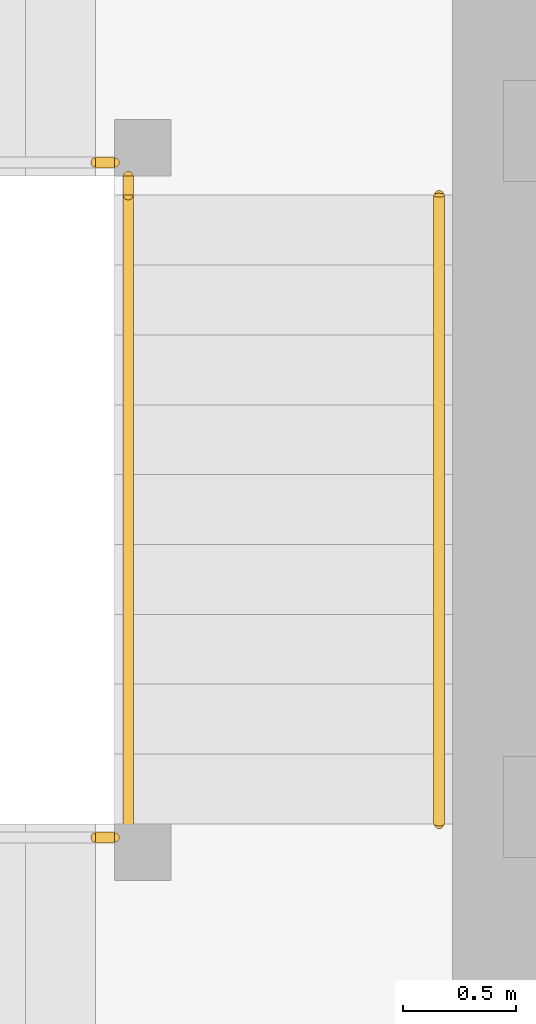
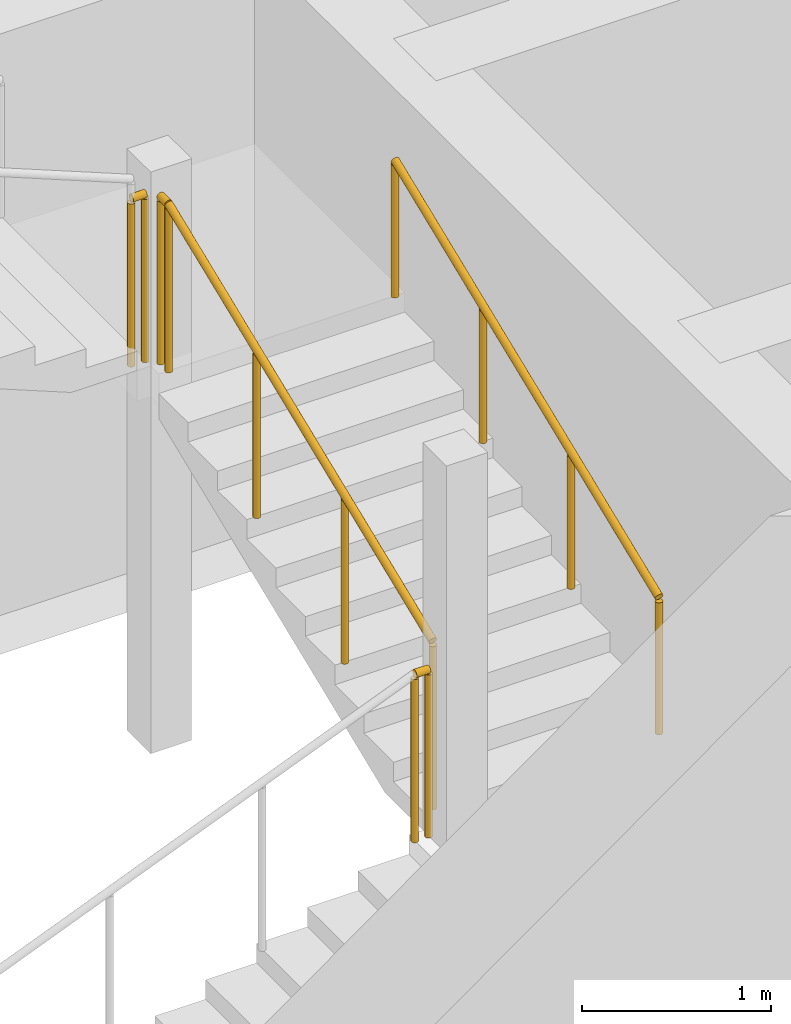
# One storey, part 36 of 40: 5 railings.
"""IFC4 building model written with IfcOpenShell, lengths in metres."""

from ifc_helpers import new_model, si_unit, direction, frame, origin, origin_2d, place, context, subcontext, project, spatial, circle, extrude, material, type_object, element, save


model = new_model("IFC4")

# Units and contexts
model_context = context("Model", 3, precision=1e-05, world=origin(), true_north=direction((0.0, 1.0)))
body_context = subcontext(model_context, "Body", "Model", "MODEL_VIEW")
ifc_project = project(units=[si_unit("LENGTHUNIT", "METRE"), si_unit("AREAUNIT", "SQUARE_METRE"), si_unit("VOLUMEUNIT", "CUBIC_METRE"), si_unit("PLANEANGLEUNIT", "RADIAN"), si_unit("MASSUNIT", "GRAM", prefix="KILO")], contexts=[model_context])

# Site, building, storey
site_placement = place(None, origin())
site = spatial("IfcSite", under=ifc_project, at=site_placement, CompositionType="ELEMENT")
building_placement = place(site_placement, origin())
building = spatial("IfcBuilding", under=site, at=building_placement, Name="Rekha Terrace Tower", CompositionType="ELEMENT")
storey_placement = place(building_placement, frame((0.0, 0.0, 99.050048828125)))
storey = spatial("IfcBuildingStorey", under=building, at=storey_placement, Name="L24", CompositionType="ELEMENT", Elevation=99.050048828125)

# Railings
ifc_material_1 = material(Name="Stainless steel balustrade", Category="steel")
railing_type_1 = type_object("IfcRailingType", Name="GR1 1100 stair guard", PredefinedType="GUARDRAIL", material=ifc_material_1)
railing_1_placement = place(storey_placement, frame((30.135009765625, 41.324951171875, 1.375)))
element("IfcRailing", 1, at=railing_1_placement, inside=storey, type_object=railing_type_1, Name="Guard ST4 L24 flight 2", PredefinedType="GUARDRAIL", context=body_context, shape_type="SweptSolid", body=[
    extrude(circle(Radius=0.02392578125, at=origin_2d()), frame((0.0, 0.0, 1.076171875), z_axis=(0.0, 0.927443287984, 0.373963831907), x_axis=(-1.0, 0.0, 0.0)), (0.0, 0.0, 1.0), 3.00830078125),
    extrude(circle(Radius=0.02099609375, at=origin_2d()), origin(), (0.0, 0.0, 1.0), 1.052001953125),
    extrude(circle(Radius=0.02099609375, at=origin_2d()), frame((0.0, 0.929931640625, 0.375)), (0.0, 0.0, 1.0), 1.052001953125),
    extrude(circle(Radius=0.02099609375, at=origin_2d()), frame((0.0, 1.860107421875, 0.75)), (0.0, 0.0, 1.0), 1.052001953125),
    extrude(circle(Radius=0.02099609375, at=origin_2d()), frame((0.0, 2.7900390625, 1.125)), (0.0, 0.0, 1.0), 1.052001953125),
])
railing_2_placement = place(storey_placement, frame((29.989990234375, 41.264892578125, 1.25)))
element("IfcRailing", 2, at=railing_2_placement, inside=storey, type_object=railing_type_1, Name="Guard ST4 L24 landing 1", PredefinedType="GUARDRAIL", context=body_context, shape_type="SweptSolid", body=[
    extrude(circle(Radius=0.02392578125, at=origin_2d()), frame((0.0, 0.0, 1.076171875), z_axis=(1.0, 0.0, 0.0), x_axis=(0.0, 1.0, 0.0)), (0.0, 0.0, 1.0), 0.0849609375),
    extrude(circle(Radius=0.02099609375, at=origin_2d()), origin(), (0.0, 0.0, 1.0), 1.052001953125),
    extrude(circle(Radius=0.02099609375, at=origin_2d()), frame((0.0849609375, 0.0, 0.0)), (0.0, 0.0, 1.0), 1.052001953125),
])
railing_3_placement = place(storey_placement, frame((30.135009765625, 44.114990234375, 2.5)))
element("IfcRailing", 3, at=railing_3_placement, inside=storey, type_object=railing_type_1, Name="Guard ST4 L24 landing 2", PredefinedType="GUARDRAIL", context=body_context, shape_type="SweptSolid", body=[
    extrude(circle(Radius=0.02392578125, at=origin_2d()), frame((0.0, 0.0, 1.076171875), z_axis=(0.0, 1.0, 0.0), x_axis=(-1.0, 0.0, 0.0)), (0.0, 0.0, 1.0), 0.0849609375),
    extrude(circle(Radius=0.02099609375, at=origin_2d()), origin(), (0.0, 0.0, 1.0), 1.052001953125),
    extrude(circle(Radius=0.02099609375, at=origin_2d()), frame((0.0, 0.0849609375, 0.0)), (0.0, 0.0, 1.0), 1.052001953125),
])
railing_4_placement = place(storey_placement, frame((29.989990234375, 44.260009765625, 2.5)))
element("IfcRailing", 4, at=railing_4_placement, inside=storey, type_object=railing_type_1, Name="Guard ST4 L24 landing 3", PredefinedType="GUARDRAIL", context=body_context, shape_type="SweptSolid", body=[
    extrude(circle(Radius=0.02392578125, at=origin_2d()), frame((0.0, 0.0, 1.076171875), z_axis=(1.0, 0.0, 0.0), x_axis=(0.0, 1.0, 0.0)), (0.0, 0.0, 1.0), 0.0849609375),
    extrude(circle(Radius=0.02099609375, at=origin_2d()), origin(), (0.0, 0.0, 1.0), 1.052001953125),
    extrude(circle(Radius=0.02099609375, at=origin_2d()), frame((0.0849609375, 0.0, 0.0)), (0.0, 0.0, 1.0), 1.052001953125),
])
ifc_material_2 = material(Name="Stainless steel tube", Category="steel")
railing_type_2 = type_object("IfcRailingType", Name="HR1 900 stair handrail", PredefinedType="HANDRAIL", material=ifc_material_2)
railing_5_placement = place(storey_placement, frame((31.514892578125, 41.324951171875, 1.375)))
element("IfcRailing", 5, at=railing_5_placement, inside=storey, type_object=railing_type_2, Name="Handrail ST4 L24 flight 2", PredefinedType="HANDRAIL", context=body_context, shape_type="SweptSolid", body=[
    extrude(circle(Radius=0.02392578125, at=origin_2d()), frame((0.0, 0.0, 0.8759765625), z_axis=(0.0, 0.927443287984, 0.373963831907), x_axis=(-1.0, 0.0, 0.0)), (0.0, 0.0, 1.0), 3.00830078125),
    extrude(circle(Radius=0.02099609375, at=origin_2d()), origin(), (0.0, 0.0, 1.0), 0.851806640625),
    extrude(circle(Radius=0.02099609375, at=origin_2d()), frame((0.0, 0.929931640625, 0.375)), (0.0, 0.0, 1.0), 0.851806640625),
    extrude(circle(Radius=0.02099609375, at=origin_2d()), frame((0.0, 1.860107421875, 0.75)), (0.0, 0.0, 1.0), 0.851806640625),
    extrude(circle(Radius=0.02099609375, at=origin_2d()), frame((0.0, 2.7900390625, 1.125)), (0.0, 0.0, 1.0), 0.851806640625),
])

save(model, "model.ifc")
